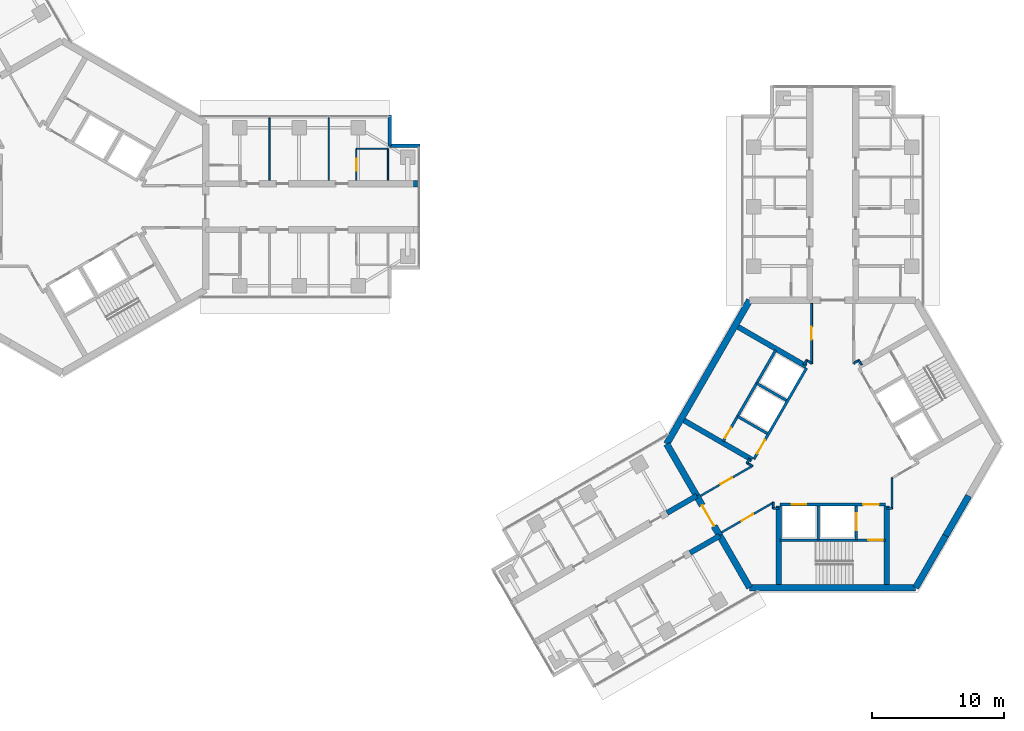
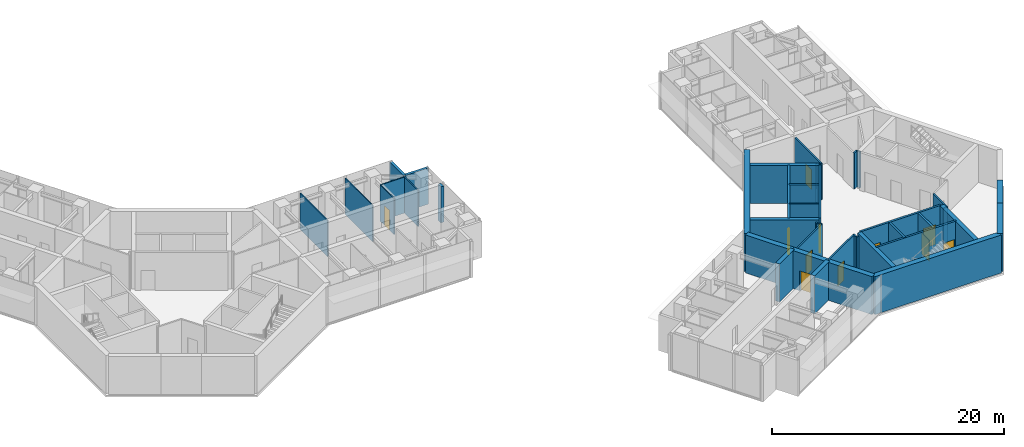
# One storey, part 14 of 18: 42 walls, 11 doors, 11 openings.
"""IFC4 building model written with IfcOpenShell, lengths in metres."""

import ifcopenshell
import ifcopenshell.guid

model = None  # the IFC model being written
_history = None  # IfcOwnerHistory: only IFC2X3 demands one
_inside = {}  # id of a spatial element -> (the spatial element, [elements in it])
_under = {}  # id of a project, library or spatial element -> (it, [spatial elements below it])
_declared = {}  # id of a project -> (the project, [libraries it declares])
_typed = {}  # id of a type object -> (the type object, [elements of that type])
_made_of = {}  # id of a material, layer set ... -> (it, [elements and type objects made of it])


def new_model(schema):
    """Start an empty IFC model of exactly this schema.

    Asked for "IFC4X3", IfcOpenShell would pick the latest addendum, in which some entities
    have other attributes; the version numbers below select the first issue.
    IFC2X3 requires an IfcOwnerHistory on every rooted entity: one is made here for all.
    """
    global model, _history
    if schema == "IFC4X3":
        model = ifcopenshell.file(schema_version=(4, 3, 0, 0))
    else:
        model = ifcopenshell.file(schema=schema)
    _inside.clear()
    _under.clear()
    _declared.clear()
    _typed.clear()
    _made_of.clear()
    _history = None
    if model.schema == "IFC2X3":
        org = make("IfcOrganization", Name="unknown")
        user = make(
            "IfcPersonAndOrganization",
            ThePerson=make("IfcPerson", FamilyName="unknown"),
            TheOrganization=org,
        )
        app = make(
            "IfcApplication",
            ApplicationDeveloper=org,
            Version="unknown",
            ApplicationFullName="unknown",
            ApplicationIdentifier="unknown",
        )
        _history = make(
            "IfcOwnerHistory",
            OwningUser=user,
            OwningApplication=app,
            ChangeAction="ADDED",
            CreationDate=0,
        )
    return model


def make(cls, **values):
    """One entity of the class cls with the attributes given. An attribute that is None is left unset."""
    return model.create_entity(
        cls, **{name: value for name, value in values.items() if value is not None}
    )


def rooted(cls, **values):
    """An entity with a GlobalId (a new one), such as an element, a storey or a relation."""
    return make(cls, GlobalId=ifcopenshell.guid.new(), OwnerHistory=_history, **values)


def si_unit(unit_type, name, prefix=None):
    """IfcSIUnit, for example si_unit("LENGTHUNIT", "METRE", prefix="MILLI")."""
    return make("IfcSIUnit", UnitType=unit_type, Prefix=prefix, Name=name)


def assignment(units):
    """IfcUnitAssignment: the units of a project."""
    return None if units is None else make("IfcUnitAssignment", Units=units)


def point(xyz):
    """IfcCartesianPoint."""
    return None if xyz is None else make("IfcCartesianPoint", Coordinates=xyz)


def direction(xyz):
    """IfcDirection."""
    return None if xyz is None else make("IfcDirection", DirectionRatios=xyz)


def frame(location, z_axis=None, x_axis=None):
    """IfcAxis2Placement3D, a coordinate frame: its origin and axes. An axis left out is left unset."""
    return make(
        "IfcAxis2Placement3D",
        Location=point(location),
        Axis=direction(z_axis),
        RefDirection=direction(x_axis),
    )


def frame_2d(location, x_axis=None):
    """IfcAxis2Placement2D, a coordinate frame in the plane: its origin and x axis."""
    return make(
        "IfcAxis2Placement2D", Location=point(location), RefDirection=direction(x_axis)
    )


def origin():
    """The frame at (0, 0, 0) with its axes left unset."""
    return frame((0.0, 0.0, 0.0))


def place(relative_to, where):
    """IfcLocalPlacement: puts the frame where relative to a parent placement (None: the world)."""
    return make(
        "IfcLocalPlacement", PlacementRelTo=relative_to, RelativePlacement=where
    )


def context(
    kind, dimensions, precision=None, world=None, true_north=None, identifier=None
):
    """IfcGeometricRepresentationContext, for example the 3D "Model" context."""
    return make(
        "IfcGeometricRepresentationContext",
        ContextIdentifier=identifier,
        ContextType=kind,
        CoordinateSpaceDimension=dimensions,
        Precision=precision,
        WorldCoordinateSystem=world,
        TrueNorth=true_north,
    )


def subcontext(parent, identifier, kind, view, scale=None):
    """IfcGeometricRepresentationSubContext, for example "Body" below "Model"."""
    return make(
        "IfcGeometricRepresentationSubContext",
        ContextIdentifier=identifier,
        ContextType=kind,
        ParentContext=parent,
        TargetScale=scale,
        TargetView=view,
    )


def project(units=None, contexts=None):
    """IfcProject with its units and contexts."""
    return rooted(
        "IfcProject",
        Name="project",
        RepresentationContexts=contexts,
        UnitsInContext=assignment(units),
    )


def spatial(cls, under=None, at=None, **own):
    """A site, building, storey or space (cls), placed at a placement, below another one or the project."""
    s = rooted(cls, ObjectPlacement=at, **own)
    if under is not None:
        _under.setdefault(under.id(), (under, []))[1].append(s)
    return s


def profile(cls, at=None, kind="AREA", **sizes):
    """A parametric profile (cls). Its sizes go by their IFC names, for example OverallWidth=200.0."""
    return make(cls, ProfileType=kind, Position=at, **sizes)


def rectangle(**sizes):
    """IfcRectangleProfileDef."""
    return profile("IfcRectangleProfileDef", **sizes)


def extrude(swept, where, along, depth):
    """IfcExtrudedAreaSolid: the profile swept, set in the frame where, extruded along a direction by depth."""
    return make(
        "IfcExtrudedAreaSolid",
        SweptArea=swept,
        Position=where,
        ExtrudedDirection=direction(along),
        Depth=depth,
    )


def shape(context_of_items, identifier, shape_type, items):
    """IfcShapeRepresentation: the items that make up one representation, for example the "Body"."""
    return make(
        "IfcShapeRepresentation",
        ContextOfItems=context_of_items,
        RepresentationIdentifier=identifier,
        RepresentationType=shape_type,
        Items=items,
    )


def material(Name=None, Category=None):
    """IfcMaterial."""
    return make("IfcMaterial", Name=Name, Category=Category)


def layer(
    of_material, thickness, ventilated=None, Name=None, Category=None, Priority=None
):
    """IfcMaterialLayer: one layer of a wall or slab, of a material (None: an air gap)."""
    return make(
        "IfcMaterialLayer",
        Material=of_material,
        LayerThickness=thickness,
        IsVentilated=ventilated,
        Name=Name,
        Category=Category,
        Priority=Priority,
    )


def layer_set(layers, Name=None):
    """IfcMaterialLayerSet."""
    return make("IfcMaterialLayerSet", MaterialLayers=layers, LayerSetName=Name)


def made_of(thing, what):
    """Note that an element or type object is made of a material, layer set ...; save() writes the relation."""
    if what is not None:
        _made_of.setdefault(what.id(), (what, []))[1].append(thing)
    return thing


def type_object(cls, material=None, **own):
    """A type object (cls), such as IfcWallType, which elements share."""
    return made_of(rooted(cls, **own), material)


def element(
    cls,
    number,
    at=None,
    inside=None,
    cuts=None,
    type_object=None,
    material=None,
    context=None,
    identifier="Body",
    shape_type=None,
    held_by="IfcProductDefinitionShape",
    body=None,
    shapes=None,
    **own,
):
    """One element of the class cls, such as IfcWall. Its Tag is "e" and its number.

    at: its placement. inside: the storey or other place that contains it. cuts: it is an
    opening in that element (IfcRelVoidsElement). A single representation is given by context,
    identifier, shape_type and body (its items); several are given by shapes. held_by: the class
    of the entity that holds the representations. save() writes the other relations.
    """
    e = rooted(cls, Tag="e%d" % number, ObjectPlacement=at, **own)
    if body is not None:
        shapes = [shape(context, identifier, shape_type, body)]
    if shapes is not None:
        e.Representation = make(held_by, Representations=shapes)
    if inside is not None:
        _inside.setdefault(inside.id(), (inside, []))[1].append(e)
    if cuts is not None:
        rooted(
            "IfcRelVoidsElement", RelatingBuildingElement=cuts, RelatedOpeningElement=e
        )
    if type_object is not None:
        _typed.setdefault(type_object.id(), (type_object, []))[1].append(e)
    return made_of(e, material)


def fill(opening, filler):
    """IfcRelFillsElement: the door or window that sits in an opening."""
    return rooted(
        "IfcRelFillsElement",
        RelatingOpeningElement=opening,
        RelatedBuildingElement=filler,
    )


def aggregate(whole, parts):
    """IfcRelAggregates: a whole, such as a stair, and the parts it consists of."""
    return rooted("IfcRelAggregates", RelatingObject=whole, RelatedObjects=parts)


def save(model, path):
    """Write the relations noted so far, then the file.

    IfcRelAggregates (storeys below a building ...), IfcRelContainedInSpatialStructure (elements
    in a storey), IfcRelDefinesByType, IfcRelAssociatesMaterial and IfcRelDeclares: one each for
    every whole, place, type object, material and project.
    """
    for whole, parts in _under.values():
        aggregate(whole, parts)
    for where, things in _inside.values():
        rooted(
            "IfcRelContainedInSpatialStructure",
            RelatedElements=things,
            RelatingStructure=where,
        )
    for kind, things in _typed.values():
        rooted("IfcRelDefinesByType", RelatedObjects=things, RelatingType=kind)
    for what, things in _made_of.values():
        rooted("IfcRelAssociatesMaterial", RelatedObjects=things, RelatingMaterial=what)
    for by, libraries in _declared.values():
        rooted("IfcRelDeclares", RelatingContext=by, RelatedDefinitions=libraries)
    model.write(path)


model = new_model("IFC4")

# Units and contexts
model_context = context("Model", 3, precision=1e-05, world=origin(), true_north=direction((0.0, 1.0)))
body_context = subcontext(model_context, "Body", "Model", "MODEL_VIEW")
ifc_project = project(units=[si_unit("LENGTHUNIT", "METRE"), si_unit("AREAUNIT", "SQUARE_METRE"), si_unit("VOLUMEUNIT", "CUBIC_METRE"), si_unit("PLANEANGLEUNIT", "RADIAN"), si_unit("MASSUNIT", "GRAM", prefix="KILO")], contexts=[model_context])

# Site, building, storey
site_placement = place(None, origin())
site = spatial("IfcSite", under=ifc_project, at=site_placement, CompositionType="ELEMENT")
building_placement = place(site_placement, origin())
building = spatial("IfcBuilding", under=site, at=building_placement, Name="Upepo Twin Towers", CompositionType="ELEMENT")
storey_placement = place(building_placement, frame((0.0, 0.0, 226.5)))
storey = spatial("IfcBuildingStorey", under=building, at=storey_placement, Name="L55", CompositionType="ELEMENT", Elevation=226.5)

# Walls
ifc_material_1 = material(Name="Dense concrete blockwork", Category="masonry")
ifc_layer_1 = layer(ifc_material_1, 0.5)
ifc_layer_set_1 = layer_set([ifc_layer_1], Name="Buttress closer 500, blockwork with fire-stopping to the curtain wall")
wall_type_1 = type_object("IfcWallType", Name="Buttress closer 500, blockwork with fire-stopping to the curtain wall", PredefinedType="PARTITIONING", material=ifc_layer_set_1)
wall_1_placement = place(storey_placement, frame((26.699951171875, 1.75, 0.0), z_axis=(0.0, 0.0, 1.0), x_axis=(1.0, 0.0, 0.0)))
element("IfcWall", 1, at=wall_1_placement, inside=storey, type_object=wall_type_1, Name="T1 L55 wing A buttress closer L", PredefinedType="PARTITIONING", context=body_context, shape_type="SweptSolid", body=[
    extrude(rectangle(XDim=0.28759765625, YDim=0.5, at=frame_2d((0.143798828125, 0.0))), origin(), (0.0, 0.0, 1.0), 3.800048828125),
])
ifc_material_2 = material(Name="Concrete C60/75", Category="concrete")
ifc_layer_2 = layer(ifc_material_2, 0.39990234375)
ifc_layer_set_2 = layer_set([ifc_layer_2], Name="Concrete C60/75")
wall_type_2 = type_object("IfcWallType", Name="Buttress wall 400 RC", PredefinedType="SHEAR", material=ifc_layer_set_2)
for number, where, z_axis, x_axis, name in (
    (2, (49.92822265625, -24.9697265625, 0.0), (0.0, 0.0, 1.0), (-0.866031863473, -0.499988811324, 0.0), "T2 wing B buttress wall L"),
    (3, (48.17822265625, -21.938720703125, 0.0), (0.0, 0.0, 1.0), (-0.866072649678, -0.499918158782, 0.0), "T2 wing B buttress wall R"),
):
    element("IfcWall", number, at=place(storey_placement, frame(where, z_axis=z_axis, x_axis=x_axis)), inside=storey, type_object=wall_type_2, Name=name, PredefinedType="SHEAR", context=body_context, shape_type="SweptSolid", body=[
        extrude(rectangle(XDim=2.591796875, YDim=0.39990234375, at=frame_2d((1.2958984375, 0.0))), origin(), (0.0, 0.0, 1.0), 4.0),
    ])
ifc_material_3 = material(Name="Concrete C60/75", Category="concrete")
ifc_layer_3 = layer(ifc_material_3, 0.5)
ifc_layer_set_3 = layer_set([ifc_layer_3], Name="Concrete C60/75")
wall_type_3 = type_object("IfcWallType", Name="Core wall 500 RC", PredefinedType="SHEAR", material=ifc_layer_set_3)
wall_2_placement = place(storey_placement, frame((52.2021484375, -7.091552734375, 0.0), z_axis=(0.0, 0.0, 1.0), x_axis=(-0.500005998175, -0.866021940709, 0.0)))
element("IfcWall", 4, at=wall_2_placement, inside=storey, type_object=wall_type_3, Name="T2 core wall 060", PredefinedType="SHEAR", context=body_context, shape_type="SweptSolid", body=[
    extrude(rectangle(XDim=12.595947265625, YDim=0.5, at=frame_2d((6.2978515625, 0.0))), origin(), (0.0, 0.0, 1.0), 4.0),
])
wall_3_placement = place(storey_placement, frame((45.904052734375, -18.0, 0.0), z_axis=(0.0, 0.0, 1.0), x_axis=(0.500024481964, -0.866011268655, 0.0)))
element("IfcWall", 5, at=wall_3_placement, inside=storey, type_object=wall_type_3, Name="T2 core wall 120 R", PredefinedType="SHEAR", context=body_context, shape_type="SweptSolid", body=[
    extrude(rectangle(XDim=4.548095703125, YDim=0.5, at=frame_2d((2.27392578125, 0.0))), origin(), (0.0, 0.0, 1.0), 4.0),
])

# Wall, opening, door
wall_4_placement = place(storey_placement, frame((48.17822265625, -21.938720703125, 0.0), z_axis=(0.0, 0.0, 1.0), x_axis=(0.500010275428, -0.866019471182, 0.0)))
wall_4 = element("IfcWall", 6, at=wall_4_placement, inside=storey, type_object=wall_type_3, Name="T2 core wall 120", PredefinedType="SHEAR", context=body_context, shape_type="SweptSolid", body=[
    extrude(rectangle(XDim=3.5, YDim=0.5, at=frame_2d((1.75, 0.0))), origin(), (0.0, 0.0, 1.0), 4.0),
])
opening_1_placement = place(wall_4_placement, frame((0.85009765625, 0.0, 0.0)))
opening_1 = element("IfcOpeningElement", 7, at=opening_1_placement, cuts=wall_4, Name="Opening D2", PredefinedType="OPENING", context=body_context, shape_type="SweptSolid", body=[
    extrude(rectangle(XDim=1.800048828125, YDim=2.10009765625, at=frame_2d((0.89990234375, 1.050048828125))), frame((0.0, 0.260009765625, 0.0), z_axis=(0.0, -1.0, 0.0), x_axis=(1.0, 0.0, 0.0)), (0.0, 0.0, 1.0), 0.52001953125),
])
ifc_material_4 = material(Name="Timber doorset", Category="wood")
door_type_1 = type_object("IfcDoorType", Name="Corridor double door 1800 FD60", OperationType="DOUBLE_DOOR_DOUBLE_SWING", PredefinedType="DOOR", material=ifc_material_4)
door_1_placement = place(opening_1_placement, origin())
door_1 = element("IfcDoor", 8, at=door_1_placement, inside=storey, type_object=door_type_1, Name="T2 L55 wing B corridor door", OperationType="DOUBLE_DOOR_DOUBLE_SWING", OverallHeight=2.10009765625, OverallWidth=1.800048828125, PredefinedType="DOOR", context=body_context, shape_type="SweptSolid", body=[
    extrude(rectangle(XDim=1.800048828125, YDim=2.10009765625, at=frame_2d((0.89990234375, 1.050048828125))), frame((0.0, 0.02490234375, 0.0), z_axis=(0.0, -1.0, 0.0), x_axis=(1.0, 0.0, 0.0)), (0.0, 0.0, 1.0), 0.050048828125),
])
fill(opening_1, door_1)

# Walls
wall_5_placement = place(storey_placement, frame((49.92822265625, -24.9697265625, 0.0), z_axis=(0.0, 0.0, 1.0), x_axis=(0.499984222037, -0.866034513004, 0.0)))
element("IfcWall", 9, at=wall_5_placement, inside=storey, type_object=wall_type_3, Name="T2 core wall 120 L", PredefinedType="SHEAR", context=body_context, shape_type="SweptSolid", body=[
    extrude(rectangle(XDim=4.548095703125, YDim=0.5, at=frame_2d((2.27392578125, 0.0))), origin(), (0.0, 0.0, 1.0), 4.0),
])
wall_6_placement = place(storey_placement, frame((52.2021484375, -28.908447265625, 0.0), z_axis=(0.0, 0.0, 1.0), x_axis=(1.0, 0.0, 0.0)))
element("IfcWall", 10, at=wall_6_placement, inside=storey, type_object=wall_type_3, Name="T2 core wall 180", PredefinedType="SHEAR", context=body_context, shape_type="SweptSolid", body=[
    extrude(rectangle(XDim=12.595703125, YDim=0.5, at=frame_2d((6.2978515625, 0.0))), origin(), (0.0, 0.0, 1.0), 4.0),
])
wall_7_placement = place(storey_placement, frame((64.7978515625, -28.908447265625, 0.0), z_axis=(0.0, 0.0, 1.0), x_axis=(0.499984222037, 0.866034513004, 0.0)))
element("IfcWall", 11, at=wall_7_placement, inside=storey, type_object=wall_type_3, Name="T2 core wall 240 R", PredefinedType="SHEAR", context=body_context, shape_type="SweptSolid", body=[
    extrude(rectangle(XDim=4.548095703125, YDim=0.5, at=frame_2d((2.27392578125, 0.0))), origin(), (0.0, 0.0, 1.0), 4.0),
])
wall_8_placement = place(storey_placement, frame((67.07177734375, -24.9697265625, 0.0), z_axis=(0.0, 0.0, 1.0), x_axis=(0.500010275428, 0.866019471182, 0.0)))
element("IfcWall", 12, at=wall_8_placement, inside=storey, type_object=wall_type_3, Name="T2 core wall 240", PredefinedType="SHEAR", context=body_context, shape_type="SweptSolid", body=[
    extrude(rectangle(XDim=3.5, YDim=0.5, at=frame_2d((1.75, 0.0))), origin(), (0.0, 0.0, 1.0), 4.0),
])
ifc_material_5 = material(Name="Blockwork with anodised aluminium cladding", Category="masonry")
ifc_layer_4 = layer(ifc_material_5, 0.25)
ifc_layer_set_4 = layer_set([ifc_layer_4], Name="Notch cladding wall 250, pale metal")
wall_type_4 = type_object("IfcWallType", Name="Notch cladding wall 250, pale metal", PredefinedType="STANDARD", material=ifc_layer_set_4)
for number, where, z_axis, x_axis, name in (
    (13, (24.875, 6.949951171875, 0.0), (0.0, 0.0, 1.0), (0.0, -1.0, 0.0), "T1 L55 wing A notch wall L1"),
    (14, (24.875, 4.625, 0.0), (0.0, 0.0, 1.0), (1.0, 0.0, 0.0), "T1 L55 wing A notch wall L2"),
):
    element("IfcWall", number, at=place(storey_placement, frame(where, z_axis=z_axis, x_axis=x_axis)), inside=storey, type_object=wall_type_4, Name=name, PredefinedType="STANDARD", context=body_context, shape_type="SweptSolid", body=[
        extrude(rectangle(XDim=2.324951171875, YDim=0.25, at=frame_2d((1.16259765625, 0.0))), origin(), (0.0, 0.0, 1.0), 3.800048828125),
    ])
ifc_material_6 = material(Name="Gypsum board on steel studs", Category="steel")
ifc_layer_5 = layer(ifc_material_6, 0.10009765625)
ifc_layer_set_5 = layer_set([ifc_layer_5], Name="Office partition 100 stud")
wall_type_5 = type_object("IfcWallType", Name="Office partition 100 stud", PredefinedType="PARTITIONING", material=ifc_layer_set_5)
for number, where, z_axis, x_axis, name in (
    (15, (15.75, 2.0, 0.0), (0.0, 0.0, 1.0), (0.0, 1.0, 0.0), "T1 partition AL at 15.75"),
    (16, (20.25, 2.0, 0.0), (0.0, 0.0, 1.0), (0.0, 1.0, 0.0), "T1 partition AL at 20.25"),
):
    element("IfcWall", number, at=place(storey_placement, frame(where, z_axis=z_axis, x_axis=x_axis)), inside=storey, type_object=wall_type_5, Name=name, PredefinedType="PARTITIONING", context=body_context, shape_type="SweptSolid", body=[
        extrude(rectangle(XDim=4.75, YDim=0.10009765625, at=frame_2d((2.375, 0.0))), origin(), (0.0, 0.0, 1.0), 3.800048828125),
    ])
wall_9_placement = place(storey_placement, frame((22.35009765625, 4.39990234375, 0.0), z_axis=(0.0, 0.0, 1.0), x_axis=(1.0, 0.0, 0.0)))
element("IfcWall", 17, at=wall_9_placement, inside=storey, type_object=wall_type_5, Name="T1 inner room partition AL at 22.35", PredefinedType="PARTITIONING", context=body_context, shape_type="SweptSolid", body=[
    extrude(rectangle(XDim=2.39990234375, YDim=0.10009765625, at=frame_2d((1.199951171875, 0.0))), origin(), (0.0, 0.0, 1.0), 3.800048828125),
])

# Wall, opening, door
wall_10_placement = place(storey_placement, frame((22.35009765625, 2.0, 0.0), z_axis=(0.0, 0.0, 1.0), x_axis=(0.0, 1.0, 0.0)))
wall_10 = element("IfcWall", 18, at=wall_10_placement, inside=storey, type_object=wall_type_5, Name="T1 inner room partition AL end at 22.35", PredefinedType="PARTITIONING", context=body_context, shape_type="SweptSolid", body=[
    extrude(rectangle(XDim=2.39990234375, YDim=0.10009765625, at=frame_2d((1.199951171875, 0.0))), origin(), (0.0, 0.0, 1.0), 3.800048828125),
])
opening_2_placement = place(wall_10_placement, frame((0.75, 0.0, 0.0)))
opening_2 = element("IfcOpeningElement", 19, at=opening_2_placement, cuts=wall_10, Name="Opening D14", PredefinedType="OPENING", context=body_context, shape_type="SweptSolid", body=[
    extrude(rectangle(XDim=0.89990234375, YDim=2.10009765625, at=frame_2d((0.449951171875, 1.050048828125))), frame((0.0, 0.06005859375, 0.0), z_axis=(0.0, -1.0, 0.0), x_axis=(1.0, 0.0, 0.0)), (0.0, 0.0, 1.0), 0.1201171875),
])
ifc_material_7 = material(Name="Timber doorset", Category="wood")
door_type_2 = type_object("IfcDoorType", Name="Office door 900 FD30", OperationType="SINGLE_SWING_LEFT", PredefinedType="DOOR", material=ifc_material_7)
door_2_placement = place(opening_2_placement, origin())
door_2 = element("IfcDoor", 20, at=door_2_placement, inside=storey, type_object=door_type_2, Name="T1 L55 inner room door", OperationType="SINGLE_SWING_LEFT", OverallHeight=2.10009765625, OverallWidth=0.89990234375, PredefinedType="DOOR", context=body_context, shape_type="SweptSolid", body=[
    extrude(rectangle(XDim=0.89990234375, YDim=2.10009765625, at=frame_2d((0.449951171875, 1.050048828125))), frame((0.0, 0.02490234375, 0.0), z_axis=(0.0, -1.0, 0.0), x_axis=(1.0, 0.0, 0.0)), (0.0, 0.0, 1.0), 0.050048828125),
])
fill(opening_2, door_2)

# Wall
wall_11_placement = place(storey_placement, frame((24.75, 2.0, 0.0), z_axis=(0.0, 0.0, 1.0), x_axis=(0.0, 1.0, 0.0)))
element("IfcWall", 21, at=wall_11_placement, inside=storey, type_object=wall_type_5, Name="T1 inner room partition AL end at 24.75", PredefinedType="PARTITIONING", context=body_context, shape_type="SweptSolid", body=[
    extrude(rectangle(XDim=2.39990234375, YDim=0.10009765625, at=frame_2d((1.199951171875, 0.0))), origin(), (0.0, 0.0, 1.0), 3.800048828125),
])

# Wall, opening, door
ifc_material_8 = material(Name="Concrete C40/50", Category="concrete")
ifc_layer_6 = layer(ifc_material_8, 0.199951171875)
ifc_layer_set_6 = layer_set([ifc_layer_6], Name="Concrete C40/50")
wall_type_6 = type_object("IfcWallType", Name="Shaft wall 200 RC", PredefinedType="SHEAR", material=ifc_layer_set_6)
wall_12_placement = place(storey_placement, frame((56.516357421875, -12.23583984375, 0.0), z_axis=(0.0, 0.0, 1.0), x_axis=(-0.49999894854, -0.866026010844, 0.0)))
wall_12 = element("IfcWall", 22, at=wall_12_placement, inside=storey, type_object=wall_type_6, Name="T2 core W60 front wall", PredefinedType="SHEAR", context=body_context, shape_type="SweptSolid", body=[
    extrude(rectangle(XDim=8.0, YDim=0.199951171875, at=frame_2d((4.0, 0.0))), origin(), (0.0, 0.0, 1.0), 4.0),
])
opening_3_placement = place(wall_12_placement, frame((6.300048828125, 0.0, 0.0)))
opening_3 = element("IfcOpeningElement", 23, at=opening_3_placement, cuts=wall_12, Name="Opening D4", PredefinedType="OPENING", context=body_context, shape_type="SweptSolid", body=[
    extrude(rectangle(XDim=1.199951171875, YDim=2.10009765625, at=frame_2d((0.60009765625, 1.050048828125))), frame((0.0, 0.10986328125, 0.0), z_axis=(0.0, -1.0, 0.0), x_axis=(1.0, 0.0, 0.0)), (0.0, 0.0, 1.0), 0.219970703125),
])
ifc_material_9 = material(Name="Timber doorset", Category="wood")
door_type_3 = type_object("IfcDoorType", Name="Lobby door 1200 FD60", OperationType="SINGLE_SWING_LEFT", PredefinedType="DOOR", material=ifc_material_9)
door_3_placement = place(opening_3_placement, origin())
door_3 = element("IfcDoor", 24, at=door_3_placement, inside=storey, type_object=door_type_3, Name="T2 L55 W60 lobby door", OperationType="SINGLE_SWING_RIGHT", OverallHeight=2.10009765625, OverallWidth=1.199951171875, PredefinedType="DOOR", context=body_context, shape_type="SweptSolid", body=[
    extrude(rectangle(XDim=1.199951171875, YDim=2.10009765625, at=frame_2d((0.60009765625, 1.050048828125))), frame((0.0, 0.02490234375, 0.0), z_axis=(0.0, -1.0, 0.0), x_axis=(1.0, 0.0, 0.0)), (0.0, 0.0, 1.0), 0.050048828125),
])
fill(opening_3, door_3)

# Walls
for number, where, z_axis, x_axis, name in (
    (25, (54.979736328125, -14.697265625, 0.0), (0.0, 0.0, 1.0), (-0.866062058628, 0.499936506574, 0.0), "T2 core W60 shaft divider"),
    (26, (53.52978515625, -17.208740234375, 0.0), (0.0, 0.0, 1.0), (-0.866062058628, 0.499936506574, 0.0), "T2 core W60 lobby wall"),
):
    element("IfcWall", number, at=place(storey_placement, frame(where, z_axis=z_axis, x_axis=x_axis)), inside=storey, type_object=wall_type_6, Name=name, PredefinedType="SHEAR", context=body_context, shape_type="SweptSolid", body=[
        extrude(rectangle(XDim=2.599853515625, YDim=0.199951171875, at=frame_2d((1.2998046875, 0.0))), origin(), (0.0, 0.0, 1.0), 4.0),
    ])

# Wall, opening, door
wall_13_placement = place(storey_placement, frame((54.177978515625, -10.885986328125, 0.0), z_axis=(0.0, 0.0, 1.0), x_axis=(-0.49999894854, -0.866026010844, 0.0)))
wall_13 = element("IfcWall", 27, at=wall_13_placement, inside=storey, type_object=wall_type_6, Name="T2 core W60 stair wall", PredefinedType="SHEAR", context=body_context, shape_type="SweptSolid", body=[
    extrude(rectangle(XDim=8.0, YDim=0.199951171875, at=frame_2d((4.0, 0.0))), origin(), (0.0, 0.0, 1.0), 4.0),
])
opening_4_placement = place(wall_13_placement, frame((6.800048828125, 0.0, 0.0)))
opening_4 = element("IfcOpeningElement", 28, at=opening_4_placement, cuts=wall_13, Name="Opening D9", PredefinedType="OPENING", context=body_context, shape_type="SweptSolid", body=[
    extrude(rectangle(XDim=0.89990234375, YDim=2.10009765625, at=frame_2d((0.449951171875, 1.050048828125))), frame((0.0, 0.10986328125, 0.0), z_axis=(0.0, -1.0, 0.0), x_axis=(1.0, 0.0, 0.0)), (0.0, 0.0, 1.0), 0.219970703125),
])
ifc_material_10 = material(Name="Timber doorset", Category="wood")
door_type_4 = type_object("IfcDoorType", Name="Riser door 900 FD60", OperationType="SINGLE_SWING_LEFT", PredefinedType="DOOR", material=ifc_material_10)
door_4_placement = place(opening_4_placement, origin())
door_4 = element("IfcDoor", 29, at=door_4_placement, inside=storey, type_object=door_type_4, Name="T2 L55 riser door", OperationType="SINGLE_SWING_RIGHT", OverallHeight=2.10009765625, OverallWidth=0.89990234375, PredefinedType="DOOR", context=body_context, shape_type="SweptSolid", body=[
    extrude(rectangle(XDim=0.89990234375, YDim=2.10009765625, at=frame_2d((0.449951171875, 1.050048828125))), frame((0.0, 0.02490234375, 0.0), z_axis=(0.0, -1.0, 0.0), x_axis=(1.0, 0.0, 0.0)), (0.0, 0.0, 1.0), 0.050048828125),
])
fill(opening_4, door_4)

# Wall, openings, doors
wall_14_placement = place(storey_placement, frame((54.5, -22.60009765625, 0.0), z_axis=(0.0, 0.0, 1.0), x_axis=(1.0, 0.0, 0.0)))
wall_14 = element("IfcWall", 30, at=wall_14_placement, inside=storey, type_object=wall_type_6, Name="T2 core W180 front wall", PredefinedType="SHEAR", context=body_context, shape_type="SweptSolid", body=[
    extrude(rectangle(XDim=8.0, YDim=0.199951171875, at=frame_2d((4.0, 0.0))), origin(), (0.0, 0.0, 1.0), 4.0),
])
opening_5_placement = place(wall_14_placement, frame((6.300048828125, 0.0, 0.0)))
opening_5 = element("IfcOpeningElement", 31, at=opening_5_placement, cuts=wall_14, Name="Opening D4", PredefinedType="OPENING", context=body_context, shape_type="SweptSolid", body=[
    extrude(rectangle(XDim=1.199951171875, YDim=2.10009765625, at=frame_2d((0.60009765625, 1.050048828125))), frame((0.0, 0.10986328125, 0.0), z_axis=(0.0, -1.0, 0.0), x_axis=(1.0, 0.0, 0.0)), (0.0, 0.0, 1.0), 0.219970703125),
])
opening_6_placement = place(wall_14_placement, frame((0.89990234375, 0.0, 0.0)))
opening_6 = element("IfcOpeningElement", 32, at=opening_6_placement, cuts=wall_14, Name="Opening LD1", PredefinedType="OPENING", context=body_context, shape_type="SweptSolid", body=[
    extrude(rectangle(XDim=1.10009765625, YDim=2.199951171875, at=frame_2d((0.550048828125, 1.10009765625))), frame((0.0, 0.10986328125, 0.0), z_axis=(0.0, -1.0, 0.0), x_axis=(1.0, 0.0, 0.0)), (0.0, 0.0, 1.0), 0.219970703125),
])
ifc_material_11 = material(Name="Steel doorset", Category="steel")
door_type_5 = type_object("IfcDoorType", Name="Lift landing door 1100", OperationType="DOUBLE_DOOR_SLIDING", PredefinedType="DOOR", material=ifc_material_11)
door_5_placement = place(opening_6_placement, origin())
door_5 = element("IfcDoor", 33, at=door_5_placement, inside=storey, type_object=door_type_5, Name="T2 L55 lift SV1 landing door", OperationType="DOUBLE_DOOR_SLIDING", OverallHeight=2.199951171875, OverallWidth=1.10009765625, PredefinedType="DOOR", context=body_context, shape_type="SweptSolid", body=[
    extrude(rectangle(XDim=1.10009765625, YDim=2.199951171875, at=frame_2d((0.550048828125, 1.10009765625))), frame((0.0, 0.02490234375, 0.0), z_axis=(0.0, -1.0, 0.0), x_axis=(1.0, 0.0, 0.0)), (0.0, 0.0, 1.0), 0.050048828125),
])
fill(opening_6, door_5)
door_6_placement = place(opening_5_placement, origin())
door_6 = element("IfcDoor", 34, at=door_6_placement, inside=storey, type_object=door_type_3, Name="T2 L55 W180 lobby door", OperationType="SINGLE_SWING_RIGHT", OverallHeight=2.10009765625, OverallWidth=1.199951171875, PredefinedType="DOOR", context=body_context, shape_type="SweptSolid", body=[
    extrude(rectangle(XDim=1.199951171875, YDim=2.10009765625, at=frame_2d((0.60009765625, 1.050048828125))), frame((0.0, 0.02490234375, 0.0), z_axis=(0.0, -1.0, 0.0), x_axis=(1.0, 0.0, 0.0)), (0.0, 0.0, 1.0), 0.050048828125),
])
fill(opening_5, door_6)

# Wall
wall_15_placement = place(storey_placement, frame((57.39990234375, -22.699951171875, 0.0), z_axis=(0.0, 0.0, 1.0), x_axis=(0.0, -1.0, 0.0)))
element("IfcWall", 35, at=wall_15_placement, inside=storey, type_object=wall_type_6, Name="T2 core W180 shaft divider", PredefinedType="SHEAR", context=body_context, shape_type="SweptSolid", body=[
    extrude(rectangle(XDim=2.60009765625, YDim=0.199951171875, at=frame_2d((1.300048828125, 0.0))), origin(), (0.0, 0.0, 1.0), 4.0),
])

# Wall, opening, door
wall_16_placement = place(storey_placement, frame((60.300048828125, -22.699951171875, 0.0), z_axis=(0.0, 0.0, 1.0), x_axis=(0.0, -1.0, 0.0)))
wall_16 = element("IfcWall", 36, at=wall_16_placement, inside=storey, type_object=wall_type_6, Name="T2 core W180 lobby wall", PredefinedType="SHEAR", context=body_context, shape_type="SweptSolid", body=[
    extrude(rectangle(XDim=2.60009765625, YDim=0.199951171875, at=frame_2d((1.300048828125, 0.0))), origin(), (0.0, 0.0, 1.0), 4.0),
])
opening_7_placement = place(wall_16_placement, frame((0.550048828125, 0.0, 0.0)))
opening_7 = element("IfcOpeningElement", 37, at=opening_7_placement, cuts=wall_16, Name="Opening LD2", PredefinedType="OPENING", context=body_context, shape_type="SweptSolid", body=[
    extrude(rectangle(XDim=1.300048828125, YDim=2.199951171875, at=frame_2d((0.64990234375, 1.10009765625))), frame((0.0, 0.10986328125, 0.0), z_axis=(0.0, -1.0, 0.0), x_axis=(1.0, 0.0, 0.0)), (0.0, 0.0, 1.0), 0.219970703125),
])
ifc_material_12 = material(Name="Steel doorset", Category="steel")
door_type_6 = type_object("IfcDoorType", Name="Firefighting lift landing door 1300", OperationType="DOUBLE_DOOR_SLIDING", PredefinedType="DOOR", material=ifc_material_12)
door_7_placement = place(opening_7_placement, origin())
door_7 = element("IfcDoor", 38, at=door_7_placement, inside=storey, type_object=door_type_6, Name="T2 L55 firefighting lift landing door", OperationType="DOUBLE_DOOR_SLIDING", OverallHeight=2.199951171875, OverallWidth=1.300048828125, PredefinedType="DOOR", context=body_context, shape_type="SweptSolid", body=[
    extrude(rectangle(XDim=1.300048828125, YDim=2.199951171875, at=frame_2d((0.64990234375, 1.10009765625))), frame((0.0, 0.02490234375, 0.0), z_axis=(0.0, -1.0, 0.0), x_axis=(1.0, 0.0, 0.0)), (0.0, 0.0, 1.0), 0.050048828125),
])
fill(opening_7, door_7)

wall_17_placement = place(storey_placement, frame((54.5, -25.300048828125, 0.0), z_axis=(0.0, 0.0, 1.0), x_axis=(1.0, 0.0, 0.0)))
wall_17 = element("IfcWall", 39, at=wall_17_placement, inside=storey, type_object=wall_type_6, Name="T2 core W180 stair wall", PredefinedType="SHEAR", context=body_context, shape_type="SweptSolid", body=[
    extrude(rectangle(XDim=8.0, YDim=0.199951171875, at=frame_2d((4.0, 0.0))), origin(), (0.0, 0.0, 1.0), 4.0),
])
opening_8_placement = place(wall_17_placement, frame((6.699951171875, 0.0, 0.0)))
opening_8 = element("IfcOpeningElement", 40, at=opening_8_placement, cuts=wall_17, Name="Opening D3", PredefinedType="OPENING", context=body_context, shape_type="SweptSolid", body=[
    extrude(rectangle(XDim=1.10009765625, YDim=2.10009765625, at=frame_2d((0.550048828125, 1.050048828125))), frame((0.0, 0.10986328125, 0.0), z_axis=(0.0, -1.0, 0.0), x_axis=(1.0, 0.0, 0.0)), (0.0, 0.0, 1.0), 0.219970703125),
])
ifc_material_13 = material(Name="Timber doorset", Category="wood")
door_type_7 = type_object("IfcDoorType", Name="Stair door 1100 FD60", OperationType="SINGLE_SWING_LEFT", PredefinedType="DOOR", material=ifc_material_13)
door_8_placement = place(opening_8_placement, origin())
door_8 = element("IfcDoor", 41, at=door_8_placement, inside=storey, type_object=door_type_7, Name="T2 L55 stair door", OperationType="SINGLE_SWING_RIGHT", OverallHeight=2.10009765625, OverallWidth=1.10009765625, PredefinedType="DOOR", context=body_context, shape_type="SweptSolid", body=[
    extrude(rectangle(XDim=1.10009765625, YDim=2.10009765625, at=frame_2d((0.550048828125, 1.050048828125))), frame((0.0, 0.02490234375, 0.0), z_axis=(0.0, -1.0, 0.0), x_axis=(1.0, 0.0, 0.0)), (0.0, 0.0, 1.0), 0.050048828125),
])
fill(opening_8, door_8)

# Walls
ifc_material_14 = material(Name="Concrete C40/50", Category="concrete")
ifc_layer_7 = layer(ifc_material_14, 0.39990234375)
ifc_layer_set_7 = layer_set([ifc_layer_7], Name="Concrete C40/50")
wall_type_7 = type_object("IfcWallType", Name="Shaft wall 400 RC", PredefinedType="SHEAR", material=ifc_layer_set_7)
wall_18_placement = place(storey_placement, frame((52.379638671875, -19.20068359375, 0.0), z_axis=(0.0, 0.0, 1.0), x_axis=(-0.866012946976, 0.500021575205, 0.0)))
element("IfcWall", 42, at=wall_18_placement, inside=storey, type_object=wall_type_7, Name="T2 core W60 side wall N", PredefinedType="SHEAR", context=body_context, shape_type="SweptSolid", body=[
    extrude(rectangle(XDim=5.958251953125, YDim=0.39990234375, at=frame_2d((2.97900390625, 0.0))), origin(), (0.0, 0.0, 1.0), 4.0),
])
for number, where, z_axis, x_axis, name in (
    (43, (56.479736328125, -12.099365234375, 0.0), (0.0, 0.0, 1.0), (-0.86602319114, 0.500003832394, 0.0), "T2 core W60 side wall S"),
    (44, (62.60009765625, -22.699951171875, 0.0), (0.0, 0.0, 1.0), (0.0, -1.0, 0.0), "T2 core W180 side wall N"),
    (45, (54.39990234375, -22.699951171875, 0.0), (0.0, 0.0, 1.0), (0.0, -1.0, 0.0), "T2 core W180 side wall S"),
):
    element("IfcWall", number, at=place(storey_placement, frame(where, z_axis=z_axis, x_axis=x_axis)), inside=storey, type_object=wall_type_7, Name=name, PredefinedType="SHEAR", context=body_context, shape_type="SweptSolid", body=[
        extrude(rectangle(XDim=5.95849609375, YDim=0.39990234375, at=frame_2d((2.979248046875, 0.0))), origin(), (0.0, 0.0, 1.0), 4.0),
    ])
ifc_material_15 = material(Name="Gypsum board on steel studs", Category="steel")
ifc_layer_8 = layer(ifc_material_15, 0.14990234375)
ifc_layer_set_8 = layer_set([ifc_layer_8], Name="Teaching partition 150 acoustic")
wall_type_8 = type_object("IfcWallType", Name="Teaching partition 150 acoustic", PredefinedType="PARTITIONING", material=ifc_layer_set_8)
for number, where, z_axis, x_axis, name in (
    (46, (63.02001953125, -22.89990234375, 0.0), (0.0, 0.0, 1.0), (-1.0, 0.0, 0.0), "T2 core room partition 1"),
    (47, (54.409912109375, -22.89990234375, 0.0), (0.0, 0.0, 1.0), (-1.0, 0.0, 0.0), "T2 core room partition 2"),
):
    element("IfcWall", number, at=place(storey_placement, frame(where, z_axis=z_axis, x_axis=x_axis)), inside=storey, type_object=wall_type_8, Name=name, PredefinedType="PARTITIONING", context=body_context, shape_type="SweptSolid", body=[
        extrude(rectangle(XDim=0.429931640625, YDim=0.14990234375, at=frame_2d((0.21484375, 0.0))), origin(), (0.0, 0.0, 1.0), 3.800048828125),
    ])
wall_19_placement = place(storey_placement, frame((54.0, -22.919921875, 0.0), z_axis=(0.0, 0.0, 1.0), x_axis=(0.0, 1.0, 0.0)))
element("IfcWall", 48, at=wall_19_placement, inside=storey, type_object=wall_type_8, Name="T2 core room partition 3", PredefinedType="PARTITIONING", context=body_context, shape_type="SweptSolid", body=[
    extrude(rectangle(XDim=0.494384765625, YDim=0.14990234375, at=frame_2d((0.2470703125, 0.0))), origin(), (0.0, 0.0, 1.0), 3.800048828125),
])

# Wall, opening, door
wall_20_placement = place(storey_placement, frame((54.017333984375, -22.435546875, 0.0), z_axis=(0.0, 0.0, 1.0), x_axis=(-0.866024503882, -0.500001558674, 0.0)))
wall_20 = element("IfcWall", 49, at=wall_20_placement, inside=storey, type_object=wall_type_8, Name="T2 core room partition 4", PredefinedType="PARTITIONING", context=body_context, shape_type="SweptSolid", body=[
    extrude(rectangle(XDim=4.568359375, YDim=0.14990234375, at=frame_2d((2.2841796875, 0.0))), origin(), (0.0, 0.0, 1.0), 3.800048828125),
])
opening_9_placement = place(wall_20_placement, frame((1.794189453125, 0.0, 0.0)))
opening_9 = element("IfcOpeningElement", 50, at=opening_9_placement, cuts=wall_20, Name="Opening D1", PredefinedType="OPENING", context=body_context, shape_type="SweptSolid", body=[
    extrude(rectangle(XDim=1.0, YDim=2.10009765625, at=frame_2d((0.5, 1.050048828125))), frame((0.0, 0.0849609375, 0.0), z_axis=(0.0, -1.0, 0.0), x_axis=(1.0, 0.0, 0.0)), (0.0, 0.0, 1.0), 0.169921875),
])
ifc_material_16 = material(Name="Timber doorset", Category="wood")
door_type_8 = type_object("IfcDoorType", Name="Room door 1000 FD30", OperationType="SINGLE_SWING_LEFT", PredefinedType="DOOR", material=ifc_material_16)
door_9_placement = place(opening_9_placement, origin())
door_9 = element("IfcDoor", 51, at=door_9_placement, inside=storey, type_object=door_type_8, Name="T2 L55 core room door K2", OperationType="SINGLE_SWING_RIGHT", OverallHeight=2.10009765625, OverallWidth=1.0, PredefinedType="DOOR", context=body_context, shape_type="SweptSolid", body=[
    extrude(rectangle(XDim=1.0, YDim=2.10009765625, at=frame_2d((0.5, 1.050048828125))), frame((0.0, 0.02490234375, 0.0), z_axis=(0.0, -1.0, 0.0), x_axis=(1.0, 0.0, 0.0)), (0.0, 0.0, 1.0), 0.050048828125),
])
fill(opening_9, door_9)

wall_21_placement = place(storey_placement, frame((48.4609375, -21.948486328125, 0.0), z_axis=(0.0, 0.0, 1.0), x_axis=(0.866024503882, 0.500001558674, 0.0)))
wall_21 = element("IfcWall", 52, at=wall_21_placement, inside=storey, type_object=wall_type_8, Name="T2 core room partition 5", PredefinedType="PARTITIONING", context=body_context, shape_type="SweptSolid", body=[
    extrude(rectangle(XDim=4.568359375, YDim=0.14990234375, at=frame_2d((2.2841796875, 0.0))), origin(), (0.0, 0.0, 1.0), 3.800048828125),
])
opening_10_placement = place(wall_21_placement, frame((1.774169921875, 0.0, 0.0)))
opening_10 = element("IfcOpeningElement", 53, at=opening_10_placement, cuts=wall_21, Name="Opening D1", PredefinedType="OPENING", context=body_context, shape_type="SweptSolid", body=[
    extrude(rectangle(XDim=1.0, YDim=2.10009765625, at=frame_2d((0.5, 1.050048828125))), frame((0.0, 0.0849609375, 0.0), z_axis=(0.0, -1.0, 0.0), x_axis=(1.0, 0.0, 0.0)), (0.0, 0.0, 1.0), 0.169921875),
])
door_10_placement = place(opening_10_placement, origin())
door_10 = element("IfcDoor", 54, at=door_10_placement, inside=storey, type_object=door_type_8, Name="T2 L55 core room door K1", OperationType="SINGLE_SWING_LEFT", OverallHeight=2.10009765625, OverallWidth=1.0, PredefinedType="DOOR", context=body_context, shape_type="SweptSolid", body=[
    extrude(rectangle(XDim=1.0, YDim=2.10009765625, at=frame_2d((0.5, 1.050048828125))), frame((0.0, 0.02490234375, 0.0), z_axis=(0.0, -1.0, 0.0), x_axis=(1.0, 0.0, 0.0)), (0.0, 0.0, 1.0), 0.050048828125),
])
fill(opening_10, door_10)

# Walls
wall_22_placement = place(storey_placement, frame((52.417236328125, -19.684326171875, 0.0), z_axis=(0.0, 0.0, 1.0), x_axis=(-0.865831790172, 0.50033519877, 0.0)))
element("IfcWall", 55, at=wall_22_placement, inside=storey, type_object=wall_type_8, Name="T2 core room partition 6", PredefinedType="PARTITIONING", context=body_context, shape_type="SweptSolid", body=[
    extrude(rectangle(XDim=0.494384765625, YDim=0.14990234375, at=frame_2d((0.2470703125, 0.0))), origin(), (0.0, 0.0, 1.0), 3.800048828125),
])
for number, where, z_axis, x_axis, name in (
    (56, (51.99658203125, -19.46435546875, 0.0), (0.0, 0.0, 1.0), (0.499804398801, 0.866138304741, 0.0), "T2 core room partition 7"),
    (57, (56.301513671875, -12.0078125, 0.0), (0.0, 0.0, 1.0), (0.500230298122, 0.865892400268, 0.0), "T2 core room partition 8"),
):
    element("IfcWall", number, at=place(storey_placement, frame(where, z_axis=z_axis, x_axis=x_axis)), inside=storey, type_object=wall_type_8, Name=name, PredefinedType="PARTITIONING", context=body_context, shape_type="SweptSolid", body=[
        extrude(rectangle(XDim=0.429931640625, YDim=0.14990234375, at=frame_2d((0.21484375, 0.0))), origin(), (0.0, 0.0, 1.0), 3.800048828125),
    ])
wall_23_placement = place(storey_placement, frame((56.4892578125, -11.642822265625, 0.0), z_axis=(0.0, 0.0, 1.0), x_axis=(0.865831790172, -0.50033519877, 0.0)))
element("IfcWall", 58, at=wall_23_placement, inside=storey, type_object=wall_type_8, Name="T2 core room partition 9", PredefinedType="PARTITIONING", context=body_context, shape_type="SweptSolid", body=[
    extrude(rectangle(XDim=0.494384765625, YDim=0.14990234375, at=frame_2d((0.2470703125, 0.0))), origin(), (0.0, 0.0, 1.0), 3.800048828125),
])

# Wall, opening, door
wall_24_placement = place(storey_placement, frame((56.89990234375, -11.900146484375, 0.0), z_axis=(0.0, 0.0, 1.0), x_axis=(0.0, 1.0, 0.0)))
wall_24 = element("IfcWall", 59, at=wall_24_placement, inside=storey, type_object=wall_type_8, Name="T2 core room partition 10", PredefinedType="PARTITIONING", context=body_context, shape_type="SweptSolid", body=[
    extrude(rectangle(XDim=4.568359375, YDim=0.14990234375, at=frame_2d((2.2841796875, 0.0))), origin(), (0.0, 0.0, 1.0), 3.800048828125),
])
opening_11_placement = place(wall_24_placement, frame((1.79443359375, 0.0, 0.0)))
opening_11 = element("IfcOpeningElement", 60, at=opening_11_placement, cuts=wall_24, Name="Opening D1", PredefinedType="OPENING", context=body_context, shape_type="SweptSolid", body=[
    extrude(rectangle(XDim=1.0, YDim=2.10009765625, at=frame_2d((0.5, 1.050048828125))), frame((0.0, 0.0849609375, 0.0), z_axis=(0.0, -1.0, 0.0), x_axis=(1.0, 0.0, 0.0)), (0.0, 0.0, 1.0), 0.169921875),
])
door_11_placement = place(opening_11_placement, origin())
door_11 = element("IfcDoor", 61, at=door_11_placement, inside=storey, type_object=door_type_8, Name="T2 L55 core room door K6", OperationType="SINGLE_SWING_RIGHT", OverallHeight=2.10009765625, OverallWidth=1.0, PredefinedType="DOOR", context=body_context, shape_type="SweptSolid", body=[
    extrude(rectangle(XDim=1.0, YDim=2.10009765625, at=frame_2d((0.5, 1.050048828125))), frame((0.0, 0.02490234375, 0.0), z_axis=(0.0, -1.0, 0.0), x_axis=(1.0, 0.0, 0.0)), (0.0, 0.0, 1.0), 0.050048828125),
])
fill(opening_11, door_11)

# Walls
wall_25_placement = place(storey_placement, frame((60.082763671875, -11.89013671875, 0.0), z_axis=(0.0, 0.0, 1.0), x_axis=(0.865831790172, 0.50033519877, 0.0)))
element("IfcWall", 62, at=wall_25_placement, inside=storey, type_object=wall_type_8, Name="T2 core room partition 12", PredefinedType="PARTITIONING", context=body_context, shape_type="SweptSolid", body=[
    extrude(rectangle(XDim=0.494384765625, YDim=0.14990234375, at=frame_2d((0.2470703125, 0.0))), origin(), (0.0, 0.0, 1.0), 3.800048828125),
])
wall_26_placement = place(storey_placement, frame((60.4833984375, -11.635498046875, 0.0), z_axis=(0.0, 0.0, 1.0), x_axis=(0.500230298122, -0.865892400268, 0.0)))
element("IfcWall", 63, at=wall_26_placement, inside=storey, type_object=wall_type_8, Name="T2 core room partition 13", PredefinedType="PARTITIONING", context=body_context, shape_type="SweptSolid", body=[
    extrude(rectangle(XDim=0.429931640625, YDim=0.14990234375, at=frame_2d((0.21484375, 0.0))), origin(), (0.0, 0.0, 1.0), 3.800048828125),
])
wall_27_placement = place(storey_placement, frame((63.0, -20.578125, 0.0), z_axis=(0.0, 0.0, 1.0), x_axis=(0.0, -1.0, 0.0)))
element("IfcWall", 64, at=wall_27_placement, inside=storey, type_object=wall_type_8, Name="T2 core room partition 16", PredefinedType="PARTITIONING", context=body_context, shape_type="SweptSolid", body=[
    extrude(rectangle(XDim=2.341796875, YDim=0.14990234375, at=frame_2d((1.1708984375, 0.0))), origin(), (0.0, 0.0, 1.0), 3.800048828125),
])

save(model, "model.ifc")
